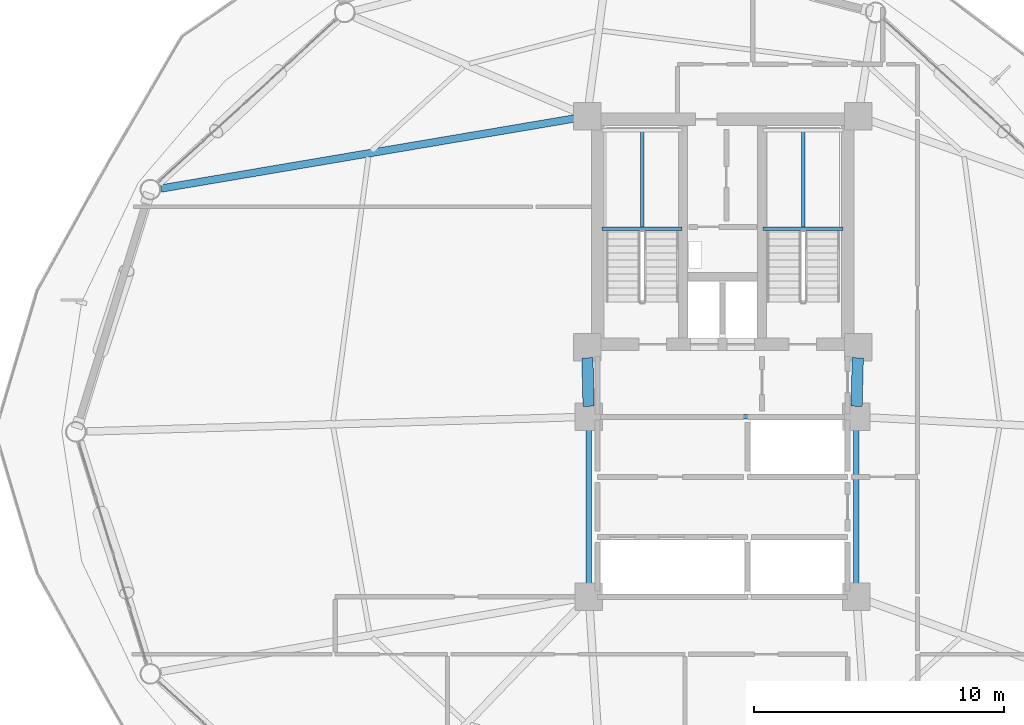
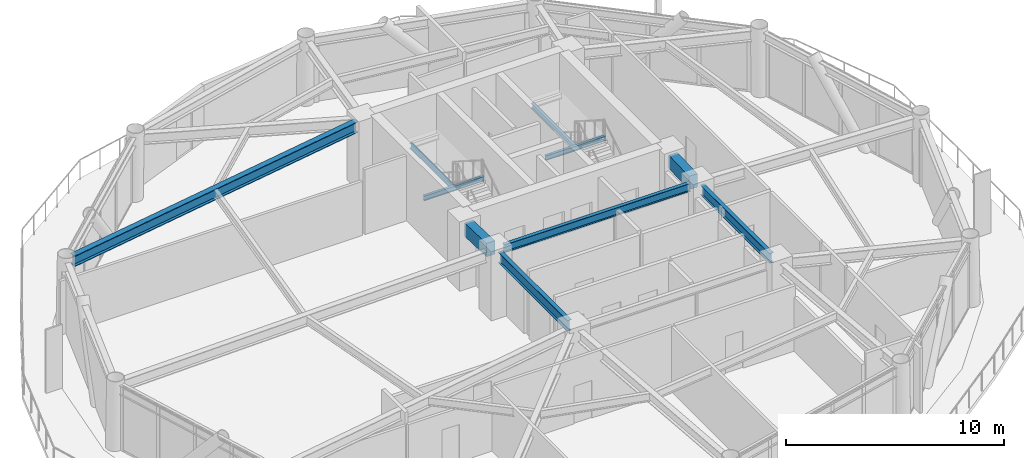
# One storey, part 10 of 23: 10 beams.
"""IFC4 building model written with IfcOpenShell, lengths in metres."""

from ifc_helpers import new_model, si_unit, direction, frame, origin, origin_2d, place, context, subcontext, project, spatial, rectangle, i_section, extrude, material, material_profile, profile_set, type_object, element, save


model = new_model("IFC4")

# Units and contexts
model_context = context("Model", 3, precision=1e-05, world=origin(), true_north=direction((0.0, 1.0)))
body_context = subcontext(model_context, "Body", "Model", "MODEL_VIEW")
ifc_project = project(units=[si_unit("LENGTHUNIT", "METRE"), si_unit("AREAUNIT", "SQUARE_METRE"), si_unit("VOLUMEUNIT", "CUBIC_METRE"), si_unit("PLANEANGLEUNIT", "RADIAN"), si_unit("MASSUNIT", "GRAM", prefix="KILO")], contexts=[model_context])

# Site, building, storey
site_placement = place(None, origin())
site = spatial("IfcSite", under=ifc_project, at=site_placement, CompositionType="ELEMENT")
building_placement = place(site_placement, origin())
building = spatial("IfcBuilding", under=site, at=building_placement, Name="Varnakorn Sky Granary", CompositionType="ELEMENT")
storey_placement = place(building_placement, frame((0.0, 0.0, 114.89990234375)))
storey = spatial("IfcBuildingStorey", under=building, at=storey_placement, Name="L28", CompositionType="ELEMENT", Elevation=114.89990234375)

# Beams
ifc_material_1 = material(Name="Steel S355JR", Category="steel")
ifc_material_profile_1 = material_profile(ifc_material_1, i_section(OverallWidth=0.2099609375, OverallDepth=0.550048828125, WebThickness=0.010986328125, FlangeThickness=0.01708984375, at=origin_2d()), Name="IPE 550")
ifc_profile_set_1 = profile_set([ifc_material_profile_1], Name="Steel S355JR")
beam_type_1 = type_object("IfcBeamType", Name="BM-JST-550", PredefinedType="JOIST", material=ifc_profile_set_1)
beam_1_placement = place(storey_placement, frame((8.35009765625, 0.179931640625, 3.364990234375), z_axis=(0.0, -1.0, 0.0), x_axis=(1.0, 0.0, 0.0)))
element("IfcBeam", 1, at=beam_1_placement, inside=storey, type_object=beam_type_1, Name="Core Spine Framing Beam 4 L28", PredefinedType="JOIST", context=body_context, shape_type="SweptSolid", body=[
    extrude(i_section(OverallWidth=0.2099609375, OverallDepth=0.550048828125, WebThickness=0.010986328125, FlangeThickness=0.01708984375, at=origin_2d()), origin(), (0.0, 0.0, 1.0), 6.35986328125),
])
ifc_material_profile_2 = material_profile(ifc_material_1, i_section(OverallWidth=0.219970703125, OverallDepth=0.60009765625, WebThickness=0.011962890625, FlangeThickness=0.01904296875, at=origin_2d()), Name="IPE 600")
ifc_profile_set_2 = profile_set([ifc_material_profile_2], Name="Steel S355JR")
beam_type_2 = type_object("IfcBeamType", Name="BM-JST-600", PredefinedType="JOIST", material=ifc_profile_set_2)
beam_2_placement = place(storey_placement, frame((-2.35009765625, 0.179931640625, 3.340087890625), z_axis=(0.0, -1.0, 0.0), x_axis=(1.0, 0.0, 0.0)))
element("IfcBeam", 2, at=beam_2_placement, inside=storey, type_object=beam_type_2, Name="Core Spine Framing Beam 3 L28", PredefinedType="JOIST", context=body_context, shape_type="SweptSolid", body=[
    extrude(i_section(OverallWidth=0.219970703125, OverallDepth=0.60009765625, WebThickness=0.011962890625, FlangeThickness=0.01904296875, at=origin_2d()), origin(), (0.0, 0.0, 1.0), 6.35986328125),
])
ifc_material_2 = material(Name="Concrete C60/75", Category="concrete")
ifc_material_profile_3 = material_profile(ifc_material_2, rectangle(XDim=0.449951171875, YDim=0.75, at=origin_2d()), Name="RC 450x750")
ifc_profile_set_3 = profile_set([ifc_material_profile_3], Name="Concrete C60/75")
beam_type_3 = type_object("IfcBeamType", Name="BM-LIN-750", PredefinedType="LINTEL", material=ifc_profile_set_3)
for number, where, z_axis, x_axis, name in (
    (3, (-2.409423828125, 2.960205078125, 3.26513671875), (0.025158763514, -0.999683468213, 0.0), (0.999683468213, 0.025158763514, 0.0), "Core Spine Framing Beam 1 L28"),
    (4, (8.409423828125, 2.960205078125, 3.26513671875), (-0.025158763514, -0.999683468213, 0.0), (0.999683468213, -0.025158763514, 0.0), "Core Spine Framing Beam 2 L28"),
):
    element("IfcBeam", number, at=place(storey_placement, frame(where, z_axis=z_axis, x_axis=x_axis)), inside=storey, type_object=beam_type_3, Name=name, PredefinedType="LINTEL", context=body_context, shape_type="SweptSolid", body=[
        extrude(rectangle(XDim=0.449951171875, YDim=0.75, at=origin_2d()), origin(), (0.0, 0.0, 1.0), 1.94091796875),
    ])
ifc_material_profile_4 = material_profile(ifc_material_1, i_section(OverallWidth=0.135009765625, OverallDepth=0.27001953125, WebThickness=0.006591796875, FlangeThickness=0.01025390625, at=origin_2d()), Name="IPE 270")
ifc_profile_set_4 = profile_set([ifc_material_profile_4], Name="Steel S355JR")
beam_type_4 = type_object("IfcBeamType", Name="BM-LND-270", PredefinedType="BEAM", material=ifc_profile_set_4)
beam_3_placement = place(storey_placement, frame((-1.820068359375, 8.1201171875, 1.614990234375), z_axis=(1.0, 0.0, 0.0), x_axis=(0.0, 1.0, 0.0)))
element("IfcBeam", 5, at=beam_3_placement, inside=storey, type_object=beam_type_4, Name="Stair ST-1 Landing Trimmer Beam A L28-1", PredefinedType="BEAM", context=body_context, shape_type="SweptSolid", body=[
    extrude(i_section(OverallWidth=0.135009765625, OverallDepth=0.27001953125, WebThickness=0.006591796875, FlangeThickness=0.01025390625, at=origin_2d()), origin(), (0.0, 0.0, 1.0), 3.199951171875),
])
beam_4_placement = place(storey_placement, frame((-0.219970703125, 8.1201171875, 1.614990234375), z_axis=(0.0, 1.0, 0.0), x_axis=(-1.0, 0.0, 0.0)))
element("IfcBeam", 6, at=beam_4_placement, inside=storey, type_object=beam_type_4, Name="Stair ST-1 Landing Cross Beam C L28-1", PredefinedType="BEAM", context=body_context, shape_type="SweptSolid", body=[
    extrude(i_section(OverallWidth=0.135009765625, OverallDepth=0.27001953125, WebThickness=0.006591796875, FlangeThickness=0.01025390625, at=origin_2d()), origin(), (0.0, 0.0, 1.0), 3.93994140625),
])
beam_5_placement = place(storey_placement, frame((4.6201171875, 8.1201171875, 1.614990234375), z_axis=(1.0, 0.0, 0.0), x_axis=(0.0, 1.0, 0.0)))
element("IfcBeam", 7, at=beam_5_placement, inside=storey, type_object=beam_type_4, Name="Stair ST-2 Landing Trimmer Beam A L28-1", PredefinedType="BEAM", context=body_context, shape_type="SweptSolid", body=[
    extrude(i_section(OverallWidth=0.135009765625, OverallDepth=0.27001953125, WebThickness=0.006591796875, FlangeThickness=0.01025390625, at=origin_2d()), origin(), (0.0, 0.0, 1.0), 3.199951171875),
])
beam_6_placement = place(storey_placement, frame((6.219970703125, 8.1201171875, 1.614990234375), z_axis=(0.0, 1.0, 0.0), x_axis=(-1.0, 0.0, 0.0)))
element("IfcBeam", 8, at=beam_6_placement, inside=storey, type_object=beam_type_4, Name="Stair ST-2 Landing Cross Beam C L28-1", PredefinedType="BEAM", context=body_context, shape_type="SweptSolid", body=[
    extrude(i_section(OverallWidth=0.135009765625, OverallDepth=0.27001953125, WebThickness=0.006591796875, FlangeThickness=0.01025390625, at=origin_2d()), origin(), (0.0, 0.0, 1.0), 3.93994140625),
])
ifc_material_profile_5 = material_profile(ifc_material_1, i_section(OverallWidth=0.300048828125, OverallDepth=0.60009765625, WebThickness=0.015380859375, FlangeThickness=0.030029296875, at=origin_2d()), Name="HE 600 B")
ifc_profile_set_5 = profile_set([ifc_material_profile_5], Name="Steel S355JR")
beam_type_5 = type_object("IfcBeamType", Name="BM-RAD-Z2", PredefinedType="BEAM", material=ifc_profile_set_5)
beam_7_placement = place(storey_placement, frame((-2.833984375, 12.5498046875, 3.340087890625), z_axis=(-0.985941387857, -0.167091530934, 0.0), x_axis=(0.167091530934, -0.985941387857, 0.0)))
element("IfcBeam", 9, at=beam_7_placement, inside=storey, type_object=beam_type_5, Name="Radial Floor Girder RG06 L28", PredefinedType="BEAM", context=body_context, shape_type="SweptSolid", body=[
    extrude(i_section(OverallWidth=0.300048828125, OverallDepth=0.60009765625, WebThickness=0.015380859375, FlangeThickness=0.030029296875, at=origin_2d()), origin(), (0.0, 0.0, 1.0), 16.861328125),
])
ifc_material_profile_6 = material_profile(ifc_material_1, i_section(OverallWidth=0.18994140625, OverallDepth=0.449951171875, WebThickness=0.009521484375, FlangeThickness=0.0146484375, at=origin_2d()), Name="IPE 450")
ifc_profile_set_6 = profile_set([ifc_material_profile_6], Name="Steel S355JR")
beam_type_6 = type_object("IfcBeamType", Name="BM-SEC-Z2", PredefinedType="BEAM", material=ifc_profile_set_6)
beam_8_placement = place(storey_placement, frame((-1.929931640625, 0.60009765625, 3.4150390625), z_axis=(1.0, 0.0, 0.0), x_axis=(0.0, 1.0, 0.0)))
element("IfcBeam", 10, at=beam_8_placement, inside=storey, type_object=beam_type_6, Name="Core Spine Framing Beam 5 L28", PredefinedType="BEAM", context=body_context, shape_type="SweptSolid", body=[
    extrude(i_section(OverallWidth=0.18994140625, OverallDepth=0.449951171875, WebThickness=0.009521484375, FlangeThickness=0.0146484375, at=origin_2d()), origin(), (0.0, 0.0, 1.0), 9.85986328125),
])

save(model, "model.ifc")
